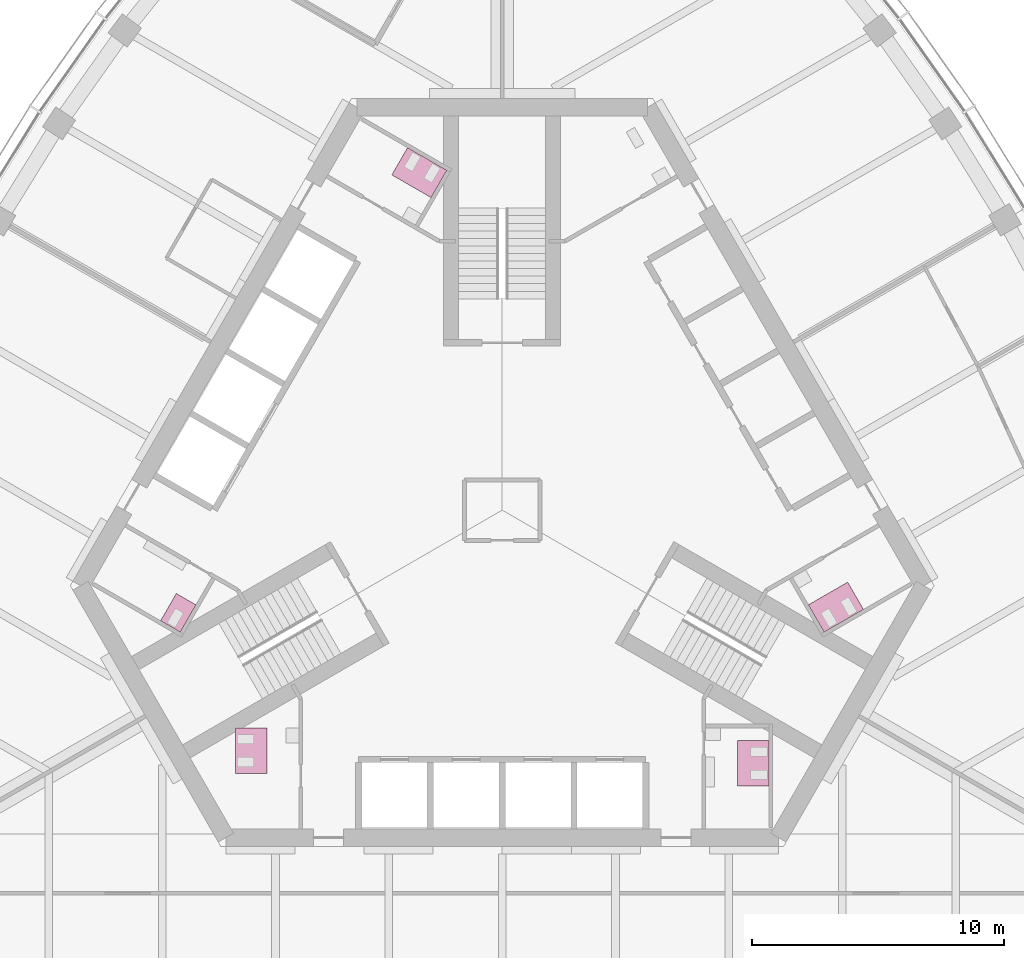
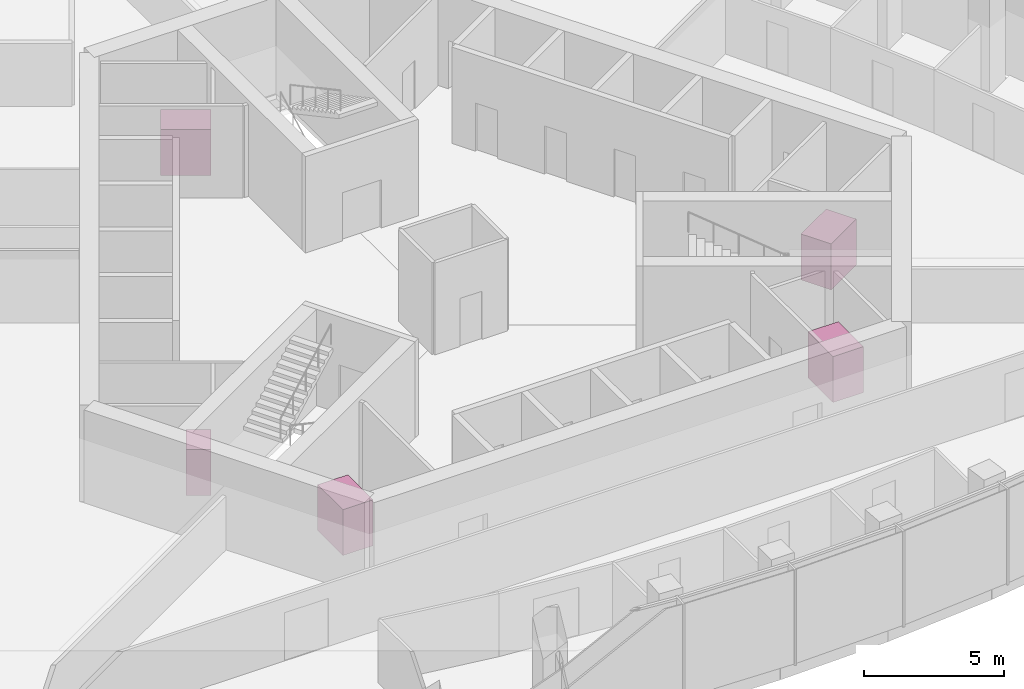
# One storey, part 16 of 16: 5 furniture elements.
"""IFC4 building model written with IfcOpenShell, lengths in metres."""

from ifc_helpers import new_model, si_unit, direction, frame, origin, place, context, subcontext, project, spatial, polyline, outline, extrude, material, type_object, element, save


model = new_model("IFC4")

# Units and contexts
model_context = context("Model", 3, precision=1e-05, world=origin(), true_north=direction((0.0, 1.0)))
body_context = subcontext(model_context, "Body", "Model", "MODEL_VIEW")
ifc_project = project(units=[si_unit("LENGTHUNIT", "METRE"), si_unit("AREAUNIT", "SQUARE_METRE"), si_unit("VOLUMEUNIT", "CUBIC_METRE"), si_unit("PLANEANGLEUNIT", "RADIAN"), si_unit("MASSUNIT", "GRAM", prefix="KILO")], contexts=[model_context])

# Site, building, storey
site_placement = place(None, origin())
site = spatial("IfcSite", under=ifc_project, at=site_placement, CompositionType="ELEMENT")
building_placement = place(site_placement, origin())
building = spatial("IfcBuilding", under=site, at=building_placement, Name="Trefoil Bronze Tower", CompositionType="ELEMENT")
storey_placement = place(building_placement, frame((0.0, 0.0, 293.10009765625)))
storey = spatial("IfcBuildingStorey", under=building, at=storey_placement, Name="L67", CompositionType="ELEMENT", Elevation=293.10009765625)

# Furniture
ifc_material_1 = material(Name="Compact laminate cubicles", Category="plastic")
furniture_type_1 = type_object("IfcFurnitureType", Name="WC cubicle range 1 cubicles", AssemblyPlace="FACTORY", PredefinedType="USERDEFINED", material=ifc_material_1)
furniture_1_placement = place(storey_placement, origin())
element("IfcFurniture", 1, at=furniture_1_placement, inside=storey, type_object=furniture_type_1, Name="WC cubicle range WC (men) L67", ObjectType="WC cubicle range", PredefinedType="USERDEFINED", context=body_context, shape_type="SweptSolid", body=[
    extrude(outline(polyline([(-12.15869140625, -3.75927734375), (-12.78369140625, -4.841796875), (-13.56298828125, -4.391845703125), (-12.93798828125, -3.309326171875), (-12.15869140625, -3.75927734375)])), origin(), (0.0, 0.0, 1.0), 2.0),
])
ifc_material_2 = material(Name="Compact laminate cubicles", Category="plastic")
furniture_type_2 = type_object("IfcFurnitureType", Name="WC cubicle range 2 cubicles", AssemblyPlace="FACTORY", PredefinedType="USERDEFINED", material=ifc_material_2)
furniture_2_placement = place(storey_placement, origin())
element("IfcFurniture", 2, at=furniture_2_placement, inside=storey, type_object=furniture_type_2, Name="WC cubicle range WC (men) L67", ObjectType="WC cubicle range", PredefinedType="USERDEFINED", context=body_context, shape_type="SweptSolid", body=[
    extrude(outline(polyline([(9.3349609375, -9.14990234375), (10.5849609375, -9.14990234375), (10.5849609375, -10.949951171875), (9.3349609375, -10.949951171875), (9.3349609375, -9.14990234375)])), origin(), (0.0, 0.0, 1.0), 2.0),
])
furniture_3_placement = place(storey_placement, origin())
element("IfcFurniture", 3, at=furniture_3_placement, inside=storey, type_object=furniture_type_2, Name="WC cubicle range WC (women) L67", ObjectType="WC cubicle range", PredefinedType="USERDEFINED", context=body_context, shape_type="SweptSolid", body=[
    extrude(outline(polyline([(12.15869140625, -3.75927734375), (12.78369140625, -4.841796875), (14.342529296875, -3.94189453125), (13.717529296875, -2.859375), (12.15869140625, -3.75927734375)])), origin(), (0.0, 0.0, 1.0), 2.0),
])
furniture_4_placement = place(storey_placement, origin())
element("IfcFurniture", 4, at=furniture_4_placement, inside=storey, type_object=furniture_type_2, Name="WC cubicle range WC (women) L67", ObjectType="WC cubicle range", PredefinedType="USERDEFINED", context=body_context, shape_type="SweptSolid", body=[
    extrude(outline(polyline([(-2.82373046875, 12.409423828125), (-2.19873046875, 13.491943359375), (-3.757568359375, 14.391845703125), (-4.382568359375, 13.309326171875), (-2.82373046875, 12.409423828125)])), origin(), (0.0, 0.0, 1.0), 2.0),
])
furniture_5_placement = place(storey_placement, origin())
element("IfcFurniture", 5, at=furniture_5_placement, inside=storey, type_object=furniture_type_2, Name="WC cubicle range WC (women) L67", ObjectType="WC cubicle range", PredefinedType="USERDEFINED", context=body_context, shape_type="SweptSolid", body=[
    extrude(outline(polyline([(-9.3349609375, -8.64990234375), (-10.5849609375, -8.64990234375), (-10.5849609375, -10.449951171875), (-9.3349609375, -10.449951171875), (-9.3349609375, -8.64990234375)])), origin(), (0.0, 0.0, 1.0), 2.0),
])

save(model, "model.ifc")
